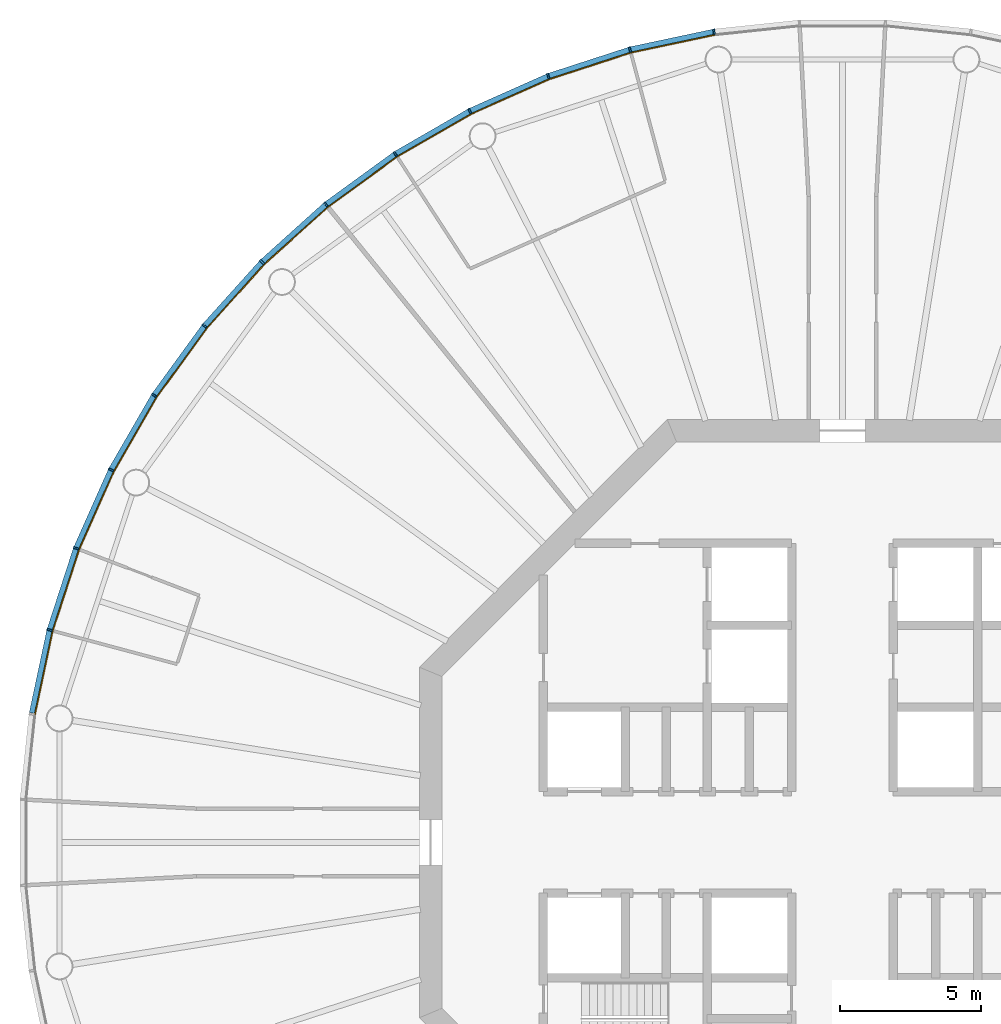
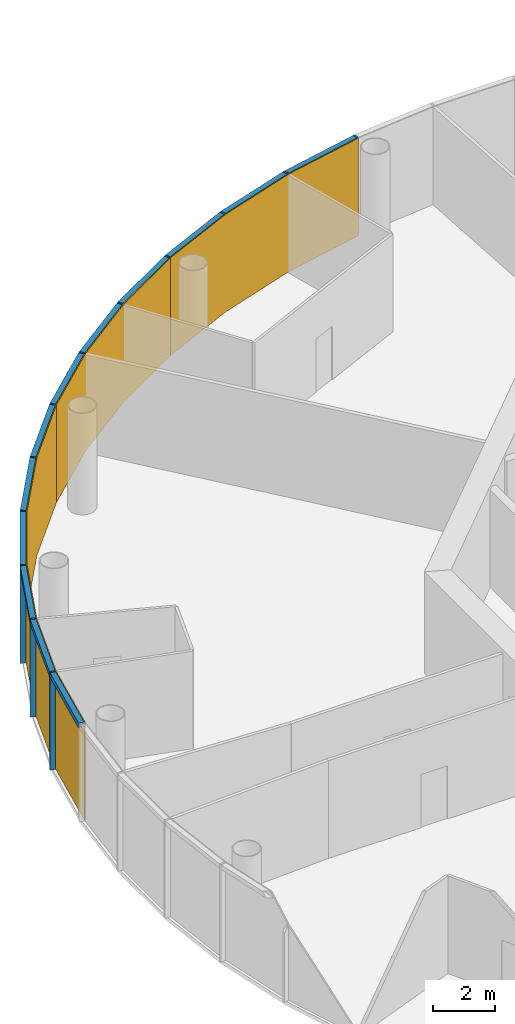
# One storey, part 10 of 13: 24 members, 4 curtain walls.
"""IFC4 building model written with IfcOpenShell, lengths in metres."""

from ifc_helpers import new_model, si_unit, direction, frame, origin, origin_2d, place, context, subcontext, project, spatial, polyline, rectangle, outline, extrude, material, layer, layer_set, material_profile, profile_set, type_object, element, aggregate, save


model = new_model("IFC4")

# Units and contexts
model_context = context("Model", 3, precision=1e-05, world=origin(), true_north=direction((0.0, 1.0)))
body_context = subcontext(model_context, "Body", "Model", "MODEL_VIEW")
ifc_project = project(units=[si_unit("LENGTHUNIT", "METRE"), si_unit("AREAUNIT", "SQUARE_METRE"), si_unit("VOLUMEUNIT", "CUBIC_METRE"), si_unit("PLANEANGLEUNIT", "RADIAN"), si_unit("MASSUNIT", "GRAM", prefix="KILO")], contexts=[model_context])

# Member
ifc_material_1 = material(Name="Anodised aluminium", Category="aluminium")
ifc_material_profile_1 = material_profile(ifc_material_1, rectangle(XDim=0.06494140625, YDim=0.195068359375, at=origin_2d()), Name="Mullion 65 x 195 mm anodised aluminium")
ifc_profile_set_1 = profile_set([ifc_material_profile_1], Name="Anodised aluminium")
member_type_1 = type_object("IfcMemberType", Name="Mullion 65 x 195 mm anodised aluminium", PredefinedType="MULLION", material=ifc_profile_set_1)
site_placement = place(None, origin())
building_placement = place(site_placement, origin())
storey_placement = place(building_placement, frame((0.0, 0.0, 318.0)))
member_1_placement = place(storey_placement, frame((85.4482421875, 108.7392578125, 0.0), z_axis=(0.0, 0.0, 1.0), x_axis=(-0.987688340595, -0.15643446504, 0.0)))
member_1 = element("IfcMember", 1, at=member_1_placement, type_object=member_type_1, Name="MULLION L73-15", PredefinedType="MULLION", context=body_context, shape_type="SweptSolid", body=[
    extrude(rectangle(XDim=0.06494140625, YDim=0.195068359375, at=origin_2d()), origin(), (0.0, 0.0, 1.0), 3.85009765625),
])

member_2_placement = place(storey_placement, frame((82.468994140625, 108.10595703125, 0.0), z_axis=(0.0, 0.0, 1.0), x_axis=(-0.965925826289, -0.258819045103, 0.0)))
member_2 = element("IfcMember", 2, at=member_2_placement, type_object=member_type_1, Name="MULLION L73-16", PredefinedType="MULLION", context=body_context, shape_type="SweptSolid", body=[
    extrude(rectangle(XDim=0.06494140625, YDim=0.195068359375, at=origin_2d()), origin(), (0.0, 0.0, 1.0), 3.85009765625),
])

member_3_placement = place(storey_placement, frame((79.572509765625, 107.164794921875, 0.0), z_axis=(0.0, 0.0, 1.0), x_axis=(-0.933580426497, -0.358367949545, 0.0)))
member_3 = element("IfcMember", 3, at=member_3_placement, type_object=member_type_1, Name="MULLION L73-17", PredefinedType="MULLION", context=body_context, shape_type="SweptSolid", body=[
    extrude(rectangle(XDim=0.06494140625, YDim=0.195068359375, at=origin_2d()), origin(), (0.0, 0.0, 1.0), 3.85009765625),
])

member_4_placement = place(storey_placement, frame((76.7900390625, 105.926025390625, 0.0), z_axis=(0.0, 0.0, 1.0), x_axis=(-0.891006524188, -0.45399049974, 0.0)))
member_4 = element("IfcMember", 4, at=member_4_placement, type_object=member_type_1, Name="MULLION L73-18", PredefinedType="MULLION", context=body_context, shape_type="SweptSolid", body=[
    extrude(rectangle(XDim=0.06494140625, YDim=0.195068359375, at=origin_2d()), origin(), (0.0, 0.0, 1.0), 3.85009765625),
])

member_5_placement = place(storey_placement, frame((74.15234375, 104.4033203125, 0.0), z_axis=(0.0, 0.0, 1.0), x_axis=(-0.838670567945, -0.544639035015, 0.0)))
member_5 = element("IfcMember", 5, at=member_5_placement, type_object=member_type_1, Name="MULLION L73-19", PredefinedType="MULLION", context=body_context, shape_type="SweptSolid", body=[
    extrude(rectangle(XDim=0.06494140625, YDim=0.195068359375, at=origin_2d()), origin(), (0.0, 0.0, 1.0), 3.85009765625),
])

member_6_placement = place(storey_placement, frame((71.688232421875, 102.613037109375, 0.0), z_axis=(0.0, 0.0, 1.0), x_axis=(-0.777145961457, -0.62932039105, 0.0)))
member_6 = element("IfcMember", 6, at=member_6_placement, type_object=member_type_1, Name="MULLION L73-20", PredefinedType="MULLION", context=body_context, shape_type="SweptSolid", body=[
    extrude(rectangle(XDim=0.06494140625, YDim=0.195068359375, at=origin_2d()), origin(), (0.0, 0.0, 1.0), 3.85009765625),
])

member_7_placement = place(storey_placement, frame((69.425048828125, 100.574951171875, 0.0), z_axis=(0.0, 0.0, 1.0), x_axis=(-0.707106781187, -0.707106781187, 0.0)))
member_7 = element("IfcMember", 7, at=member_7_placement, type_object=member_type_1, Name="MULLION L73-21", PredefinedType="MULLION", context=body_context, shape_type="SweptSolid", body=[
    extrude(rectangle(XDim=0.06494140625, YDim=0.195068359375, at=origin_2d()), origin(), (0.0, 0.0, 1.0), 3.85009765625),
])

member_8_placement = place(storey_placement, frame((67.386962890625, 98.311767578125, 0.0), z_axis=(0.0, 0.0, 1.0), x_axis=(-0.62932039105, -0.777145961457, 0.0)))
member_8 = element("IfcMember", 8, at=member_8_placement, type_object=member_type_1, Name="MULLION L73-22", PredefinedType="MULLION", context=body_context, shape_type="SweptSolid", body=[
    extrude(rectangle(XDim=0.06494140625, YDim=0.195068359375, at=origin_2d()), origin(), (0.0, 0.0, 1.0), 3.85009765625),
])

member_9_placement = place(storey_placement, frame((65.5966796875, 95.84765625, 0.0), z_axis=(0.0, 0.0, 1.0), x_axis=(-0.544639035015, -0.838670567945, 0.0)))
member_9 = element("IfcMember", 9, at=member_9_placement, type_object=member_type_1, Name="MULLION L73-23", PredefinedType="MULLION", context=body_context, shape_type="SweptSolid", body=[
    extrude(rectangle(XDim=0.06494140625, YDim=0.195068359375, at=origin_2d()), origin(), (0.0, 0.0, 1.0), 3.85009765625),
])

member_10_placement = place(storey_placement, frame((64.073974609375, 93.2099609375, 0.0), z_axis=(0.0, 0.0, 1.0), x_axis=(-0.45399049974, -0.891006524188, 0.0)))
member_10 = element("IfcMember", 10, at=member_10_placement, type_object=member_type_1, Name="MULLION L73-24", PredefinedType="MULLION", context=body_context, shape_type="SweptSolid", body=[
    extrude(rectangle(XDim=0.06494140625, YDim=0.195068359375, at=origin_2d()), origin(), (0.0, 0.0, 1.0), 3.85009765625),
])

member_11_placement = place(storey_placement, frame((62.835205078125, 90.427490234375, 0.0), z_axis=(0.0, 0.0, 1.0), x_axis=(-0.358367949545, -0.933580426497, 0.0)))
member_11 = element("IfcMember", 11, at=member_11_placement, type_object=member_type_1, Name="MULLION L73-25", PredefinedType="MULLION", context=body_context, shape_type="SweptSolid", body=[
    extrude(rectangle(XDim=0.06494140625, YDim=0.195068359375, at=origin_2d()), origin(), (0.0, 0.0, 1.0), 3.85009765625),
])

member_12_placement = place(storey_placement, frame((61.89404296875, 87.531005859375, 0.0), z_axis=(0.0, 0.0, 1.0), x_axis=(-0.258819045103, -0.965925826289, 0.0)))
member_12 = element("IfcMember", 12, at=member_12_placement, type_object=member_type_1, Name="MULLION L73-26", PredefinedType="MULLION", context=body_context, shape_type="SweptSolid", body=[
    extrude(rectangle(XDim=0.06494140625, YDim=0.195068359375, at=origin_2d()), origin(), (0.0, 0.0, 1.0), 3.85009765625),
])

ifc_material_2 = material(Name="Anodised aluminium", Category="aluminium")
ifc_material_profile_2 = material_profile(ifc_material_2, rectangle(XDim=0.195068359375, YDim=0.179931640625, at=origin_2d()), Name="Transom 180 x 195 mm anodised aluminium")
ifc_profile_set_2 = profile_set([ifc_material_profile_2], Name="Anodised aluminium")
member_type_2 = type_object("IfcMemberType", Name="Transom 180 x 195 mm anodised aluminium", PredefinedType="USERDEFINED", material=ifc_profile_set_2)
member_13_placement = place(storey_placement, frame((85.411376953125, 108.731689453125, 3.760009765625), z_axis=(-0.978141510112, -0.207940342877, 0.0), x_axis=(0.207940342877, -0.978141510112, 0.0)))
member_13 = element("IfcMember", 13, at=member_13_placement, type_object=member_type_2, Name="TRANSOM L73-15", ObjectType="TRANSOM", PredefinedType="USERDEFINED", context=body_context, shape_type="SweptSolid", body=[
    extrude(rectangle(XDim=0.195068359375, YDim=0.179931640625, at=origin_2d()), origin(), (0.0, 0.0, 1.0), 2.970458984375),
])

member_14_placement = place(storey_placement, frame((82.43310546875, 108.094482421875, 3.760009765625), z_axis=(-0.951047960094, -0.309043326415, 0.0), x_axis=(0.309043326415, -0.951047960094, 0.0)))
member_14 = element("IfcMember", 14, at=member_14_placement, type_object=member_type_2, Name="TRANSOM L73-16", ObjectType="TRANSOM", PredefinedType="USERDEFINED", context=body_context, shape_type="SweptSolid", body=[
    extrude(rectangle(XDim=0.195068359375, YDim=0.179931640625, at=origin_2d()), origin(), (0.0, 0.0, 1.0), 2.970458984375),
])

member_15_placement = place(storey_placement, frame((79.5380859375, 107.149658203125, 3.760009765625), z_axis=(-0.913550406593, -0.406725527369, 0.0), x_axis=(0.406725527369, -0.913550406593, 0.0)))
member_15 = element("IfcMember", 15, at=member_15_placement, type_object=member_type_2, Name="TRANSOM L73-17", ObjectType="TRANSOM", PredefinedType="USERDEFINED", context=body_context, shape_type="SweptSolid", body=[
    extrude(rectangle(XDim=0.195068359375, YDim=0.179931640625, at=origin_2d()), origin(), (0.0, 0.0, 1.0), 2.970703125),
])

member_16_placement = place(storey_placement, frame((76.75732421875, 105.907470703125, 3.760009765625), z_axis=(-0.866009025146, -0.500028367561, 0.0), x_axis=(0.500028367561, -0.866009025146, 0.0)))
member_16 = element("IfcMember", 16, at=member_16_placement, type_object=member_type_2, Name="TRANSOM L73-18", ObjectType="TRANSOM", PredefinedType="USERDEFINED", context=body_context, shape_type="SweptSolid", body=[
    extrude(rectangle(XDim=0.195068359375, YDim=0.179931640625, at=origin_2d()), origin(), (0.0, 0.0, 1.0), 2.970458984375),
])

member_17_placement = place(storey_placement, frame((74.121826171875, 104.381103515625, 3.760009765625), z_axis=(-0.809030990733, -0.587765987476, 0.0), x_axis=(0.587765987476, -0.809030990733, 0.0)))
member_17 = element("IfcMember", 17, at=member_17_placement, type_object=member_type_2, Name="TRANSOM L73-19", ObjectType="TRANSOM", PredefinedType="USERDEFINED", context=body_context, shape_type="SweptSolid", body=[
    extrude(rectangle(XDim=0.195068359375, YDim=0.179931640625, at=origin_2d()), origin(), (0.0, 0.0, 1.0), 2.97021484375),
])

member_18_placement = place(storey_placement, frame((71.660400390625, 102.587890625, 3.760009765625), z_axis=(-0.743163354343, -0.669110027395, 0.0), x_axis=(0.669110027395, -0.743163354343, 0.0)))
member_18 = element("IfcMember", 18, at=member_18_placement, type_object=member_type_2, Name="TRANSOM L73-20", ObjectType="TRANSOM", PredefinedType="USERDEFINED", context=body_context, shape_type="SweptSolid", body=[
    extrude(rectangle(XDim=0.195068359375, YDim=0.179931640625, at=origin_2d()), origin(), (0.0, 0.0, 1.0), 2.970458984375),
])

member_19_placement = place(storey_placement, frame((69.399658203125, 100.547119140625, 3.760009765625), z_axis=(-0.669110027395, -0.743163354343, 0.0), x_axis=(0.743163354343, -0.669110027395, 0.0)))
member_19 = element("IfcMember", 19, at=member_19_placement, type_object=member_type_2, Name="TRANSOM L73-21", ObjectType="TRANSOM", PredefinedType="USERDEFINED", context=body_context, shape_type="SweptSolid", body=[
    extrude(rectangle(XDim=0.195068359375, YDim=0.179931640625, at=origin_2d()), origin(), (0.0, 0.0, 1.0), 2.970458984375),
])

member_20_placement = place(storey_placement, frame((67.36474609375, 98.28125, 3.760009765625), z_axis=(-0.587765987476, -0.809030990733, 0.0), x_axis=(0.809030990733, -0.587765987476, 0.0)))
member_20 = element("IfcMember", 20, at=member_20_placement, type_object=member_type_2, Name="TRANSOM L73-22", ObjectType="TRANSOM", PredefinedType="USERDEFINED", context=body_context, shape_type="SweptSolid", body=[
    extrude(rectangle(XDim=0.195068359375, YDim=0.179931640625, at=origin_2d()), origin(), (0.0, 0.0, 1.0), 2.97021484375),
])

member_21_placement = place(storey_placement, frame((65.577880859375, 95.815185546875, 3.760009765625), z_axis=(-0.500028367561, -0.866009025146, 0.0), x_axis=(0.866009025146, -0.500028367561, 0.0)))
member_21 = element("IfcMember", 21, at=member_21_placement, type_object=member_type_2, Name="TRANSOM L73-23", ObjectType="TRANSOM", PredefinedType="USERDEFINED", context=body_context, shape_type="SweptSolid", body=[
    extrude(rectangle(XDim=0.195068359375, YDim=0.179931640625, at=origin_2d()), origin(), (0.0, 0.0, 1.0), 2.970458984375),
])

member_22_placement = place(storey_placement, frame((64.05859375, 93.17578125, 3.760009765625), z_axis=(-0.406725527369, -0.913550406593, 0.0), x_axis=(0.913550406593, -0.406725527369, 0.0)))
member_22 = element("IfcMember", 22, at=member_22_placement, type_object=member_type_2, Name="TRANSOM L73-24", ObjectType="TRANSOM", PredefinedType="USERDEFINED", context=body_context, shape_type="SweptSolid", body=[
    extrude(rectangle(XDim=0.195068359375, YDim=0.179931640625, at=origin_2d()), origin(), (0.0, 0.0, 1.0), 2.970703125),
])

member_23_placement = place(storey_placement, frame((62.823486328125, 90.391845703125, 3.760009765625), z_axis=(-0.309043326415, -0.951047960094, 0.0), x_axis=(0.951047960094, -0.309043326415, 0.0)))
member_23 = element("IfcMember", 23, at=member_23_placement, type_object=member_type_2, Name="TRANSOM L73-25", ObjectType="TRANSOM", PredefinedType="USERDEFINED", context=body_context, shape_type="SweptSolid", body=[
    extrude(rectangle(XDim=0.195068359375, YDim=0.179931640625, at=origin_2d()), origin(), (0.0, 0.0, 1.0), 2.970458984375),
])

member_24_placement = place(storey_placement, frame((61.885986328125, 87.494140625, 3.760009765625), z_axis=(-0.207940342877, -0.978141510112, 0.0), x_axis=(0.978141510112, -0.207940342877, 0.0)))
member_24 = element("IfcMember", 24, at=member_24_placement, type_object=member_type_2, Name="TRANSOM L73-26", ObjectType="TRANSOM", PredefinedType="USERDEFINED", context=body_context, shape_type="SweptSolid", body=[
    extrude(rectangle(XDim=0.195068359375, YDim=0.179931640625, at=origin_2d()), origin(), (0.0, 0.0, 1.0), 2.970458984375),
])

# Site, building, storey
site = spatial("IfcSite", under=ifc_project, at=site_placement, CompositionType="ELEMENT")
building = spatial("IfcBuilding", under=site, at=building_placement, Name="Entoto Ring Tower", CompositionType="ELEMENT")
storey = spatial("IfcBuildingStorey", under=building, at=storey_placement, Name="L73", CompositionType="ELEMENT", Elevation=318.0)

# Curtain wall
ifc_material_3 = material(Name="Clear low-iron glass", Category="glass")
ifc_layer = layer(ifc_material_3, 0.033935546875)
ifc_layer_set = layer_set([ifc_layer], Name="Clear low-iron glass")
curtain_wall_type = type_object("IfcCurtainWallType", Name="Curtain wall system CW5 glazing 34 mm", PredefinedType="NOTDEFINED", material=ifc_layer_set)
curtain_wall_1_placement = place(storey_placement, origin())
curtain_wall_1 = element("IfcCurtainWall", 25, at=curtain_wall_1_placement, inside=storey, type_object=curtain_wall_type, Name="CW5 L73-06", PredefinedType="NOTDEFINED", context=body_context, shape_type="SweptSolid", body=[
    extrude(outline(polyline([(85.46337890625, 108.64306640625), (82.494140625, 108.011962890625), (79.607421875, 107.07373046875), (76.834228515625, 105.839111328125), (76.849853515625, 105.808837890625), (79.61962890625, 107.0419921875), (82.503173828125, 107.97900390625), (85.46875, 108.609375), (85.46337890625, 108.64306640625)])), origin(), (0.0, 0.0, 1.0), 3.85009765625),
])

aggregate(curtain_wall_1, [member_1, member_2, member_3, member_13, member_14, member_15])

curtain_wall_2_placement = place(storey_placement, origin())
curtain_wall_2 = element("IfcCurtainWall", 26, at=curtain_wall_2_placement, inside=storey, type_object=curtain_wall_type, Name="CW5 L73-07", PredefinedType="NOTDEFINED", context=body_context, shape_type="SweptSolid", body=[
    extrude(outline(polyline([(76.834228515625, 105.839111328125), (74.20556640625, 104.321533203125), (71.749755859375, 102.537353515625), (69.493896484375, 100.506103515625), (69.51806640625, 100.48193359375), (71.771240234375, 102.5107421875), (74.22412109375, 104.29296875), (76.849853515625, 105.808837890625), (76.834228515625, 105.839111328125)])), origin(), (0.0, 0.0, 1.0), 3.85009765625),
])

aggregate(curtain_wall_2, [member_4, member_5, member_6, member_16, member_17, member_18])

curtain_wall_3_placement = place(storey_placement, origin())
curtain_wall_3 = element("IfcCurtainWall", 27, at=curtain_wall_3_placement, inside=storey, type_object=curtain_wall_type, Name="CW5 L73-08", PredefinedType="NOTDEFINED", context=body_context, shape_type="SweptSolid", body=[
    extrude(outline(polyline([(69.493896484375, 100.506103515625), (67.462646484375, 98.250244140625), (65.678466796875, 95.79443359375), (64.160888671875, 93.165771484375), (64.191162109375, 93.150146484375), (65.70703125, 95.77587890625), (67.4892578125, 98.228759765625), (69.51806640625, 100.48193359375), (69.493896484375, 100.506103515625)])), origin(), (0.0, 0.0, 1.0), 3.85009765625),
])

aggregate(curtain_wall_3, [member_7, member_8, member_9, member_19, member_20, member_21])

curtain_wall_4_placement = place(storey_placement, origin())
curtain_wall_4 = element("IfcCurtainWall", 28, at=curtain_wall_4_placement, inside=storey, type_object=curtain_wall_type, Name="CW5 L73-09", PredefinedType="NOTDEFINED", context=body_context, shape_type="SweptSolid", body=[
    extrude(outline(polyline([(64.160888671875, 93.165771484375), (62.92626953125, 90.392578125), (61.988037109375, 87.505859375), (61.35693359375, 84.53662109375), (61.390625, 84.53125), (62.02099609375, 87.496826171875), (62.9580078125, 90.38037109375), (64.191162109375, 93.150146484375), (64.160888671875, 93.165771484375)])), origin(), (0.0, 0.0, 1.0), 3.85009765625),
])

aggregate(curtain_wall_4, [member_10, member_11, member_12, member_22, member_23, member_24])

save(model, "model.ifc")
